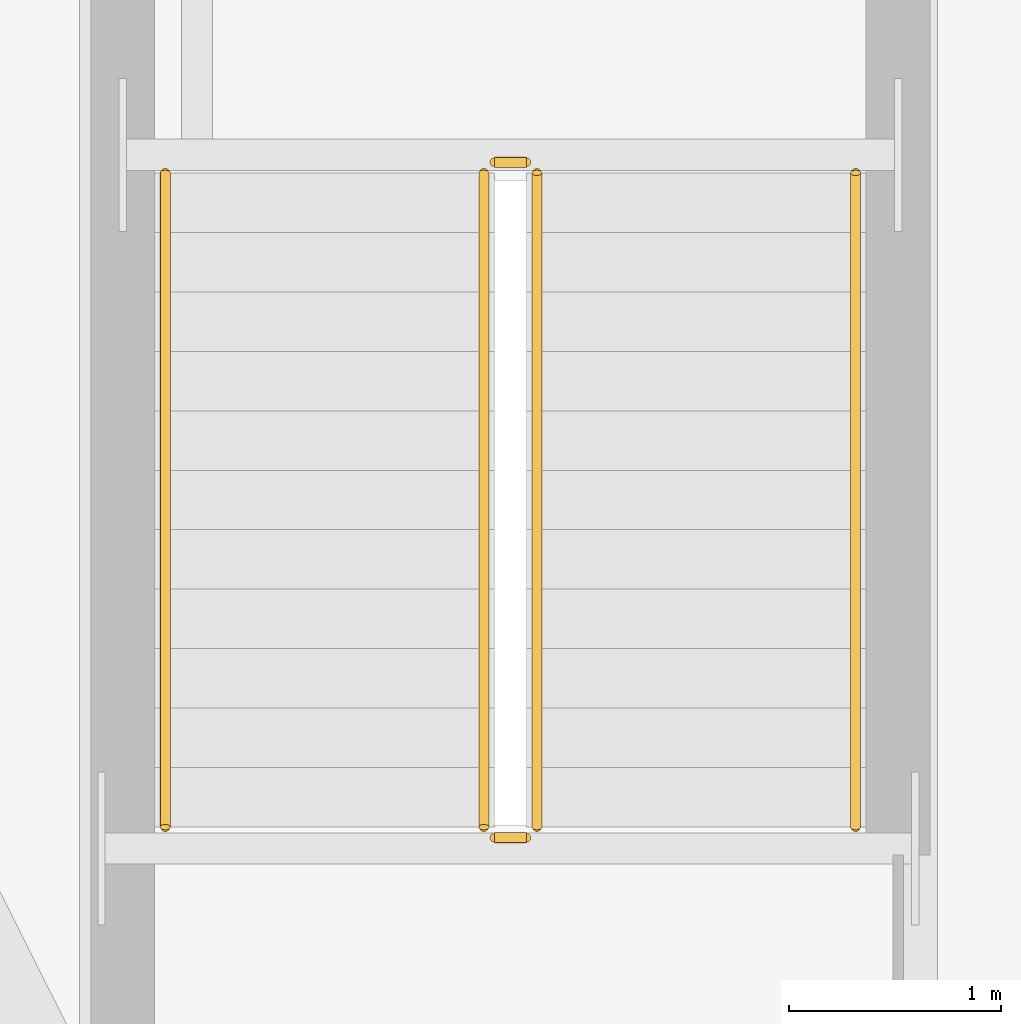
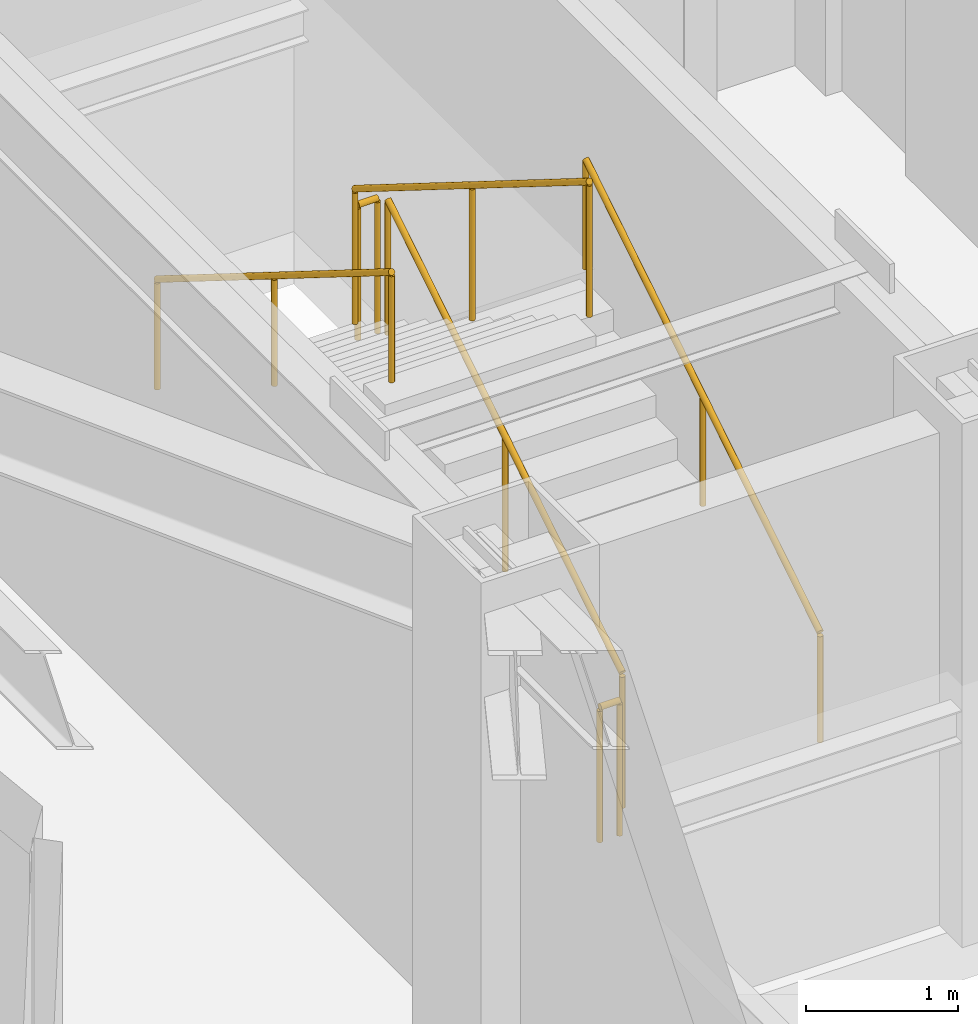
# One storey, part 10 of 11: 6 railings.
"""IFC4 building model written with IfcOpenShell, lengths in metres."""

from ifc_helpers import new_model, si_unit, direction, frame, origin, origin_2d, place, context, subcontext, project, spatial, circle, extrude, material, type_object, element, save


model = new_model("IFC4")

# Units and contexts
model_context = context("Model", 3, precision=1e-05, world=origin(), true_north=direction((0.0, 1.0)))
body_context = subcontext(model_context, "Body", "Model", "MODEL_VIEW")
ifc_project = project(units=[si_unit("LENGTHUNIT", "METRE"), si_unit("AREAUNIT", "SQUARE_METRE"), si_unit("VOLUMEUNIT", "CUBIC_METRE"), si_unit("PLANEANGLEUNIT", "RADIAN"), si_unit("MASSUNIT", "GRAM", prefix="KILO")], contexts=[model_context])

# Site, building, storey
site_placement = place(None, origin())
site = spatial("IfcSite", under=ifc_project, at=site_placement, CompositionType="ELEMENT")
building_placement = place(site_placement, origin())
building = spatial("IfcBuilding", under=site, at=building_placement, Name="Khamvora Tower", CompositionType="ELEMENT")
storey_placement = place(building_placement, frame((0.0, 0.0, 277.85009765625)))
storey = spatial("IfcBuildingStorey", under=building, at=storey_placement, Name="L71", CompositionType="ELEMENT", Elevation=277.85009765625)

# Railings
ifc_material_1 = material(Name="Brushed Stainless Steel 316", Category="steel")
railing_type_1 = type_object("IfcRailingType", Name="RAL-HDR-920", PredefinedType="HANDRAIL", material=ifc_material_1)
railing_1_placement = place(storey_placement, frame((32.449951171875, 29.85009765625, 0.1748046875)))
element("IfcRailing", 1, at=railing_1_placement, inside=storey, type_object=railing_type_1, Name="L71 ST-02 stair handrail 1", PredefinedType="HANDRAIL", context=body_context, shape_type="SweptSolid", body=[
    extrude(circle(Radius=0.02392578125, at=origin_2d()), frame((0.0, 0.0, 0.8759765625), z_axis=(0.0, 0.847979421464, 0.530029150871), x_axis=(-1.0, 0.0, 0.0)), (0.0, 0.0, 1.0), 3.632080078125),
    extrude(circle(Radius=0.02099609375, at=origin_2d()), origin(), (0.0, 0.0, 1.0), 0.851806640625),
    extrude(circle(Radius=0.02099609375, at=origin_2d()), frame((0.0, 1.5400390625, 0.96240234375)), (0.0, 0.0, 1.0), 0.851806640625),
    extrude(circle(Radius=0.02099609375, at=origin_2d()), frame((0.0, 3.079833984375, 1.925048828125)), (0.0, 0.0, 1.0), 0.851806640625),
])
railing_2_placement = place(storey_placement, frame((29.199951171875, 32.929931640625, 2.27490234375)))
element("IfcRailing", 2, at=railing_2_placement, inside=storey, type_object=railing_type_1, Name="L71 ST-02 stair handrail 2", PredefinedType="HANDRAIL", context=body_context, shape_type="SweptSolid", body=[
    extrude(circle(Radius=0.02392578125, at=origin_2d()), frame((0.0, 0.0, 0.8759765625), z_axis=(0.0, -0.847979421464, 0.530029150871), x_axis=(1.0, 0.0, 0.0)), (0.0, 0.0, 1.0), 3.632080078125),
    extrude(circle(Radius=0.02099609375, at=origin_2d()), origin(), (0.0, 0.0, 1.0), 0.851806640625),
    extrude(circle(Radius=0.02099609375, at=origin_2d()), frame((0.0, -1.5400390625, 0.96240234375)), (0.0, 0.0, 1.0), 0.851806640625),
    extrude(circle(Radius=0.02099609375, at=origin_2d()), frame((0.0, -3.079833984375, 1.925048828125)), (0.0, 0.0, 1.0), 0.851806640625),
])
ifc_material_2 = material(Name="Stainless Steel 316", Category="steel")
railing_type_2 = type_object("IfcRailingType", Name="RAL-STG-1100", PredefinedType="GUARDRAIL", material=ifc_material_2)
railing_3_placement = place(storey_placement, frame((30.949951171875, 29.85009765625, 0.1748046875)))
element("IfcRailing", 3, at=railing_3_placement, inside=storey, type_object=railing_type_2, Name="L71 ST-02 stair guard 1", PredefinedType="GUARDRAIL", context=body_context, shape_type="SweptSolid", body=[
    extrude(circle(Radius=0.02392578125, at=origin_2d()), frame((0.0, 0.0, 1.076171875), z_axis=(0.0, 0.847979421464, 0.530029150871), x_axis=(-1.0, 0.0, 0.0)), (0.0, 0.0, 1.0), 3.632080078125),
    extrude(circle(Radius=0.02099609375, at=origin_2d()), origin(), (0.0, 0.0, 1.0), 1.052001953125),
    extrude(circle(Radius=0.02099609375, at=origin_2d()), frame((0.0, 1.5400390625, 0.96240234375)), (0.0, 0.0, 1.0), 1.052001953125),
    extrude(circle(Radius=0.02099609375, at=origin_2d()), frame((0.0, 3.079833984375, 1.925048828125)), (0.0, 0.0, 1.0), 1.052001953125),
])
railing_4_placement = place(storey_placement, frame((30.89990234375, 32.97998046875, 2.099853515625)))
element("IfcRailing", 4, at=railing_4_placement, inside=storey, type_object=railing_type_2, Name="L71 ST-02 stair guard 2", PredefinedType="GUARDRAIL", context=body_context, shape_type="SweptSolid", body=[
    extrude(circle(Radius=0.02392578125, at=origin_2d()), frame((0.0, 0.0, 1.076171875), z_axis=(-1.0, 0.0, 0.0), x_axis=(0.0, -1.0, 0.0)), (0.0, 0.0, 1.0), 0.14990234375),
    extrude(circle(Radius=0.02099609375, at=origin_2d()), origin(), (0.0, 0.0, 1.0), 1.052001953125),
    extrude(circle(Radius=0.02099609375, at=origin_2d()), frame((-0.14990234375, 0.0, 0.0)), (0.0, 0.0, 1.0), 1.052001953125),
])
railing_5_placement = place(storey_placement, frame((30.699951171875, 32.929931640625, 2.27490234375)))
element("IfcRailing", 5, at=railing_5_placement, inside=storey, type_object=railing_type_2, Name="L71 ST-02 stair guard 3", PredefinedType="GUARDRAIL", context=body_context, shape_type="SweptSolid", body=[
    extrude(circle(Radius=0.02392578125, at=origin_2d()), frame((0.0, 0.0, 1.076171875), z_axis=(0.0, -0.847979421464, 0.530029150871), x_axis=(1.0, 0.0, 0.0)), (0.0, 0.0, 1.0), 3.632080078125),
    extrude(circle(Radius=0.02099609375, at=origin_2d()), origin(), (0.0, 0.0, 1.0), 1.052001953125),
    extrude(circle(Radius=0.02099609375, at=origin_2d()), frame((0.0, -1.5400390625, 0.96240234375)), (0.0, 0.0, 1.0), 1.052001953125),
    extrude(circle(Radius=0.02099609375, at=origin_2d()), frame((0.0, -3.079833984375, 1.925048828125)), (0.0, 0.0, 1.0), 1.052001953125),
])
railing_6_placement = place(storey_placement, frame((30.89990234375, 29.800048828125, 0.0)))
element("IfcRailing", 6, at=railing_6_placement, inside=storey, type_object=railing_type_2, Name="L71 ST-02 stair guard 4", PredefinedType="GUARDRAIL", context=body_context, shape_type="SweptSolid", body=[
    extrude(circle(Radius=0.02392578125, at=origin_2d()), frame((0.0, 0.0, 1.076171875), z_axis=(-1.0, 0.0, 0.0), x_axis=(0.0, -1.0, 0.0)), (0.0, 0.0, 1.0), 0.14990234375),
    extrude(circle(Radius=0.02099609375, at=origin_2d()), origin(), (0.0, 0.0, 1.0), 1.052001953125),
    extrude(circle(Radius=0.02099609375, at=origin_2d()), frame((-0.14990234375, 0.0, 0.0)), (0.0, 0.0, 1.0), 1.052001953125),
])

save(model, "model.ifc")
